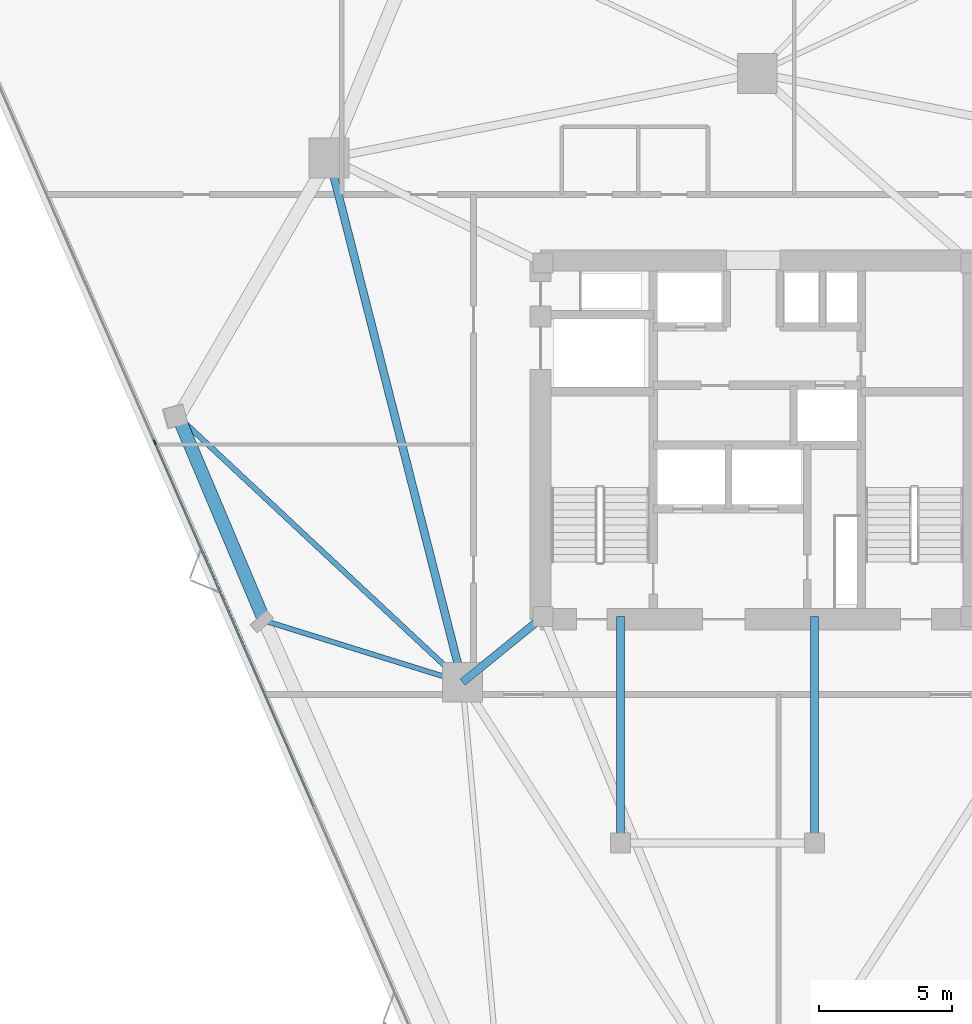
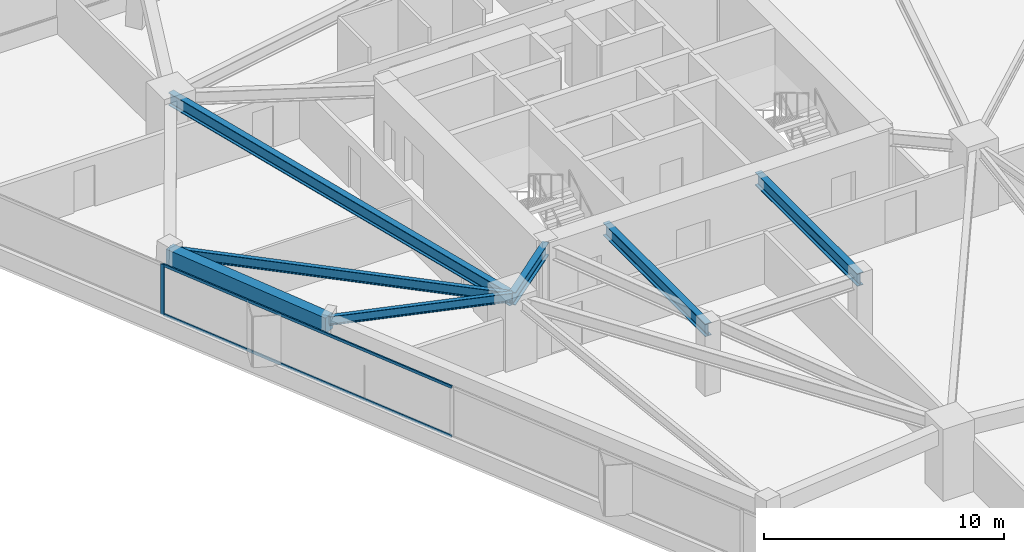
# One storey, part 4 of 14: 7 beams, 3 members, 1 element without a shape of its own.
"""IFC4 building model written with IfcOpenShell, lengths in metres."""

from ifc_helpers import new_model, si_unit, direction, frame, origin, origin_2d, place, context, subcontext, project, spatial, rectangle, i_section, extrude, material, layer, layer_set, material_profile, profile_set, type_object, element, aggregate, save


model = new_model("IFC4")

# Units and contexts
model_context = context("Model", 3, precision=1e-05, world=origin(), true_north=direction((0.0, 1.0)))
body_context = subcontext(model_context, "Body", "Model", "MODEL_VIEW")
ifc_project = project(units=[si_unit("LENGTHUNIT", "METRE"), si_unit("AREAUNIT", "SQUARE_METRE"), si_unit("VOLUMEUNIT", "CUBIC_METRE"), si_unit("PLANEANGLEUNIT", "RADIAN"), si_unit("MASSUNIT", "GRAM", prefix="KILO")], contexts=[model_context])

# Site, building, storey
site_placement = place(None, origin())
site = spatial("IfcSite", under=ifc_project, at=site_placement, CompositionType="ELEMENT")
building_placement = place(site_placement, origin())
building = spatial("IfcBuilding", under=site, at=building_placement, Name="Talyreon Biosciences Tower", CompositionType="ELEMENT")
storey_placement = place(building_placement, frame((0.0, 0.0, 138.14990234375)))
storey = spatial("IfcBuildingStorey", under=building, at=storey_placement, Name="L36", CompositionType="ELEMENT", Elevation=138.14990234375)

# Curtain wall, members
ifc_material_1 = material(Name="Thermally broken aluminium and low-E glazing", Category="aluminium")
ifc_layer = layer(ifc_material_1, 0.18505859375)
ifc_layer_set = layer_set([ifc_layer], Name="Thermally broken aluminium and low-E glazing")
curtain_wall_type = type_object("IfcCurtainWallType", Name="CurtainWall_Zone3Bioprocess", PredefinedType="NOTDEFINED", material=ifc_layer_set)
curtain_wall_placement = place(storey_placement, origin())
curtain_wall = element("IfcCurtainWall", 1, at=curtain_wall_placement, inside=storey, type_object=curtain_wall_type, Name="L36 Unitised Curtain Wall FCW-L36-00", PredefinedType="NOTDEFINED")
ifc_material_2 = material(Name="Anodised thermally broken aluminium", Category="aluminium")
ifc_material_profile_1 = material_profile(ifc_material_2, rectangle(XDim=0.06494140625, YDim=0.179931640625, at=origin_2d()), Name="ALUM MULLION 65x180")
ifc_profile_set_1 = profile_set([ifc_material_profile_1], Name="Anodised thermally broken aluminium")
member_type_1 = type_object("IfcMemberType", Name="CWMullion_65x180", PredefinedType="MULLION", material=ifc_profile_set_1)
member_1_placement = place(storey_placement, frame((43.3388671875, 67.910400390625, 0.81005859375), z_axis=(0.0, 0.0, 1.0), x_axis=(-0.916566441856, -0.399882429801, 0.0)))
member_1 = element("IfcMember", 2, at=member_1_placement, type_object=member_type_1, Name="CW4 mullion 4", PredefinedType="MULLION", context=body_context, shape_type="SweptSolid", body=[
    extrude(rectangle(XDim=0.06494140625, YDim=0.179931640625, at=origin_2d()), origin(), (0.0, 0.0, 1.0), 2.56494140625),
])
ifc_material_profile_2 = material_profile(ifc_material_2, rectangle(XDim=0.06494140625, YDim=0.139892578125, at=origin_2d()), Name="ALUM TRANSOM 65x140")
ifc_profile_set_2 = profile_set([ifc_material_profile_2], Name="Anodised thermally broken aluminium")
member_type_2 = type_object("IfcMemberType", Name="CWTransom_65x140", PredefinedType="USERDEFINED", material=ifc_profile_set_2)
member_2_placement = place(storey_placement, frame((49.3154296875, 54.2119140625, 0.842529296875), z_axis=(-0.399893696756, 0.916561526192, 0.0), x_axis=(-0.916561526192, -0.399893696756, 0.0)))
member_2 = element("IfcMember", 3, at=member_2_placement, type_object=member_type_2, Name="CW4 transom 3.1", ObjectType="TRANSOM", PredefinedType="USERDEFINED", context=body_context, shape_type="SweptSolid", body=[
    extrude(rectangle(XDim=0.06494140625, YDim=0.139892578125, at=origin_2d()), origin(), (0.0, 0.0, 1.0), 14.9130859375),
])
member_3_placement = place(storey_placement, frame((49.3154296875, 54.2119140625, 3.342529296875), z_axis=(-0.399893696756, 0.916561526192, 0.0), x_axis=(-0.916561526192, -0.399893696756, 0.0)))
member_3 = element("IfcMember", 4, at=member_3_placement, type_object=member_type_2, Name="CW4 transom 3.2", ObjectType="TRANSOM", PredefinedType="USERDEFINED", context=body_context, shape_type="SweptSolid", body=[
    extrude(rectangle(XDim=0.06494140625, YDim=0.139892578125, at=origin_2d()), origin(), (0.0, 0.0, 1.0), 14.9130859375),
])
aggregate(curtain_wall, [member_1, member_2, member_3])

# Beams
ifc_material_3 = material(Name="Precast concrete C45/55", Category="concrete")
ifc_material_profile_3 = material_profile(ifc_material_3, rectangle(XDim=0.5, YDim=0.780029296875, at=origin_2d()), Name="RCB 500x780")
ifc_profile_set_3 = profile_set([ifc_material_profile_3], Name="Precast concrete C45/55")
beam_type_1 = type_object("IfcBeamType", Name="ExpressedSpandrel_500x780", PredefinedType="SPANDREL", material=ifc_profile_set_3)
beam_1_placement = place(storey_placement, frame((44.22314453125, 68.86669921875, 2.985107421875), z_axis=(0.388787263736, -0.921327554975, 0.0), x_axis=(0.921327554975, 0.388787263736, 0.0)))
element("IfcBeam", 5, at=beam_1_placement, inside=storey, type_object=beam_type_1, Name="L36 Expressed Horizontal Concrete Spandrel 10", PredefinedType="SPANDREL", context=body_context, shape_type="SweptSolid", body=[
    extrude(rectangle(XDim=0.5, YDim=0.780029296875, at=origin_2d()), origin(), (0.0, 0.0, 1.0), 8.323486328125),
])
ifc_material_4 = material(Name="Steel SM355", Category="steel")
ifc_material_profile_4 = material_profile(ifc_material_4, i_section(OverallWidth=0.300048828125, OverallDepth=0.64990234375, WebThickness=0.01611328125, FlangeThickness=0.031005859375, FilletRadius=0.027099609375, at=origin_2d()), Name="HE650B")
ifc_profile_set_4 = profile_set([ifc_material_profile_4], Name="Steel SM355")
beam_type_2 = type_object("IfcBeamType", Name="SteelBeam_HE650B", PredefinedType="BEAM", material=ifc_profile_set_4)
beam_2_placement = place(storey_placement, frame((49.897705078125, 78.5986328125, 3.050048828125), z_axis=(0.246537082299, -0.969133358755, 0.0), x_axis=(0.969133358755, 0.246537082299, 0.0)))
element("IfcBeam", 6, at=beam_2_placement, inside=storey, type_object=beam_type_2, Name="L36 Mega-Ring Girder 5", PredefinedType="BEAM", context=body_context, shape_type="SweptSolid", body=[
    extrude(i_section(OverallWidth=0.300048828125, OverallDepth=0.64990234375, WebThickness=0.01611328125, FlangeThickness=0.031005859375, FilletRadius=0.027099609375, at=origin_2d()), origin(), (0.0, 0.0, 1.0), 20.34619140625),
])
beam_3_placement = place(storey_placement, frame((57.949951171875, 61.35009765625, 3.050048828125), z_axis=(-0.775755154013, -0.631034025249, 0.0), x_axis=(0.631034025249, -0.775755154013, 0.0)))
element("IfcBeam", 7, at=beam_3_placement, inside=storey, type_object=beam_type_2, Name="L36 Radial Primary Girder 6", PredefinedType="BEAM", context=body_context, shape_type="SweptSolid", body=[
    extrude(i_section(OverallWidth=0.300048828125, OverallDepth=0.64990234375, WebThickness=0.01611328125, FlangeThickness=0.031005859375, FilletRadius=0.027099609375, at=origin_2d()), origin(), (0.0, 0.0, 1.0), 3.913818359375),
])
for number, where, z_axis, x_axis, name in (
    (8, (60.85009765625, 52.840087890625, 3.050048828125), (0.0, 1.0, 0.0), (-1.0, 0.0, 0.0), "L36 Crown Shaft Tie Girder W"),
    (9, (68.14990234375, 52.840087890625, 3.050048828125), (0.0, 1.0, 0.0), (-1.0, 0.0, 0.0), "L36 Crown Shaft Tie Girder E"),
):
    element("IfcBeam", number, at=place(storey_placement, frame(where, z_axis=z_axis, x_axis=x_axis)), inside=storey, type_object=beam_type_2, Name=name, PredefinedType="BEAM", context=body_context, shape_type="SweptSolid", body=[
        extrude(i_section(OverallWidth=0.300048828125, OverallDepth=0.64990234375, WebThickness=0.01611328125, FlangeThickness=0.031005859375, FilletRadius=0.027099609375, at=origin_2d()), origin(), (0.0, 0.0, 1.0), 8.510009765625),
    ])
ifc_material_profile_5 = material_profile(ifc_material_4, i_section(OverallWidth=0.18994140625, OverallDepth=0.449951171875, WebThickness=0.009521484375, FlangeThickness=0.0146484375, FilletRadius=0.02099609375, at=origin_2d()), Name="IPE450")
ifc_profile_set_5 = profile_set([ifc_material_profile_5], Name="Steel SM355")
beam_type_3 = type_object("IfcBeamType", Name="SteelJoist_IPE450", PredefinedType="JOIST", material=ifc_profile_set_5)
beam_4_placement = place(storey_placement, frame((54.913818359375, 58.88037109375, 3.150146484375), z_axis=(-0.954914124331, 0.296882157014, 0.0), x_axis=(-0.296882157014, -0.954914124331, 0.0)))
element("IfcBeam", 10, at=beam_4_placement, inside=storey, type_object=beam_type_3, Name="L36 Radial Composite Floor Joist PL-SW", PredefinedType="JOIST", context=body_context, shape_type="SweptSolid", body=[
    extrude(i_section(OverallWidth=0.18994140625, OverallDepth=0.449951171875, WebThickness=0.009521484375, FlangeThickness=0.0146484375, FilletRadius=0.02099609375, at=origin_2d()), origin(), (0.0, 0.0, 1.0), 7.806640625),
])
ifc_material_profile_6 = material_profile(ifc_material_4, i_section(OverallWidth=0.199951171875, OverallDepth=0.5, WebThickness=0.01025390625, FlangeThickness=0.01611328125, FilletRadius=0.02099609375, at=origin_2d()), Name="IPE500")
ifc_profile_set_6 = profile_set([ifc_material_profile_6], Name="Steel SM355")
beam_type_4 = type_object("IfcBeamType", Name="SteelJoist_IPE500", PredefinedType="JOIST", material=ifc_profile_set_6)
beam_5_placement = place(storey_placement, frame((54.913818359375, 58.88037109375, 3.125), z_axis=(-0.730769954975, 0.682623815074, 0.0), x_axis=(-0.682623815074, -0.730769954975, 0.0)))
element("IfcBeam", 11, at=beam_5_placement, inside=storey, type_object=beam_type_4, Name="L36 Radial Composite Floor Joist PC-SW1", PredefinedType="JOIST", context=body_context, shape_type="SweptSolid", body=[
    extrude(i_section(OverallWidth=0.199951171875, OverallDepth=0.5, WebThickness=0.01025390625, FlangeThickness=0.01611328125, FilletRadius=0.02099609375, at=origin_2d()), origin(), (0.0, 0.0, 1.0), 14.62939453125),
])

save(model, "model.ifc")
